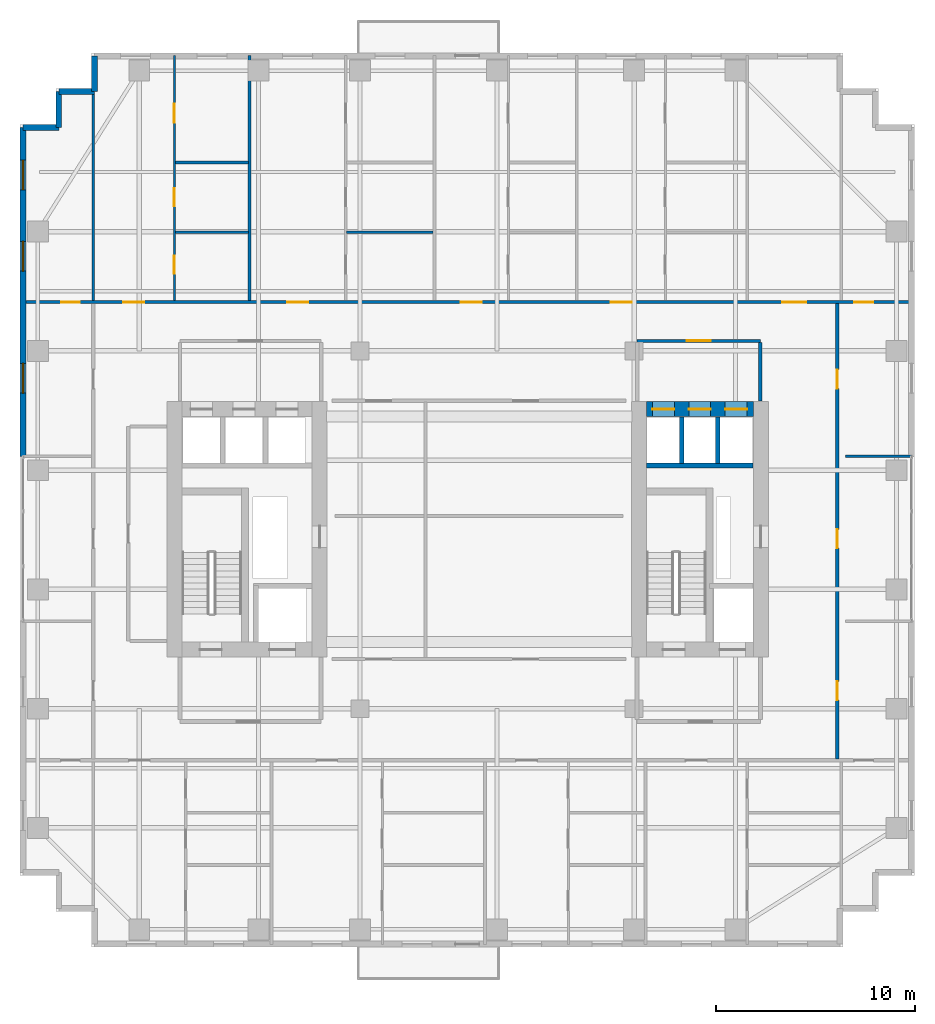
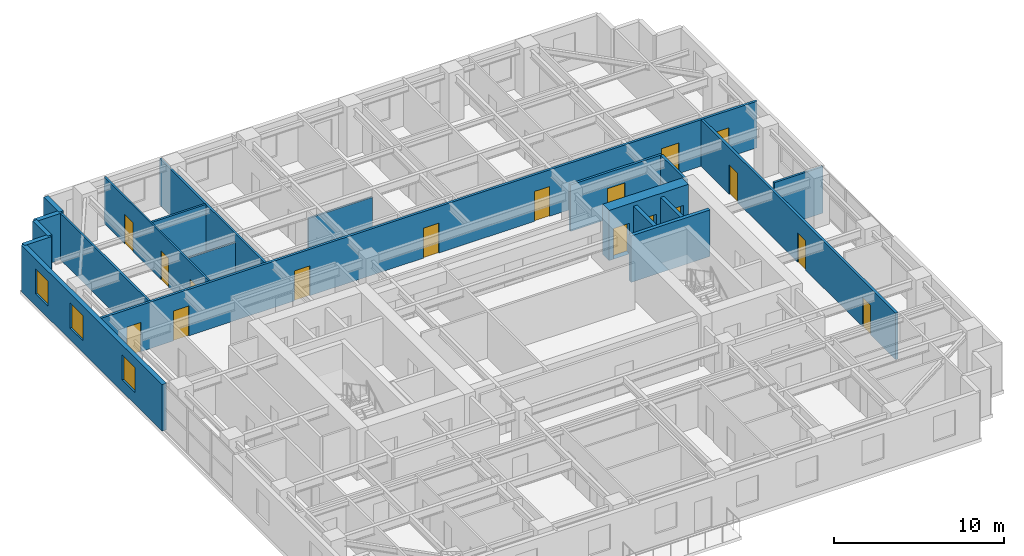
# One storey, part 11 of 15: 20 walls, 17 doors, 3 windows, 20 openings.
"""IFC4 building model written with IfcOpenShell, lengths in metres."""

import ifcopenshell
import ifcopenshell.guid

model = None  # the IFC model being written
_history = None  # IfcOwnerHistory: only IFC2X3 demands one
_inside = {}  # id of a spatial element -> (the spatial element, [elements in it])
_under = {}  # id of a project, library or spatial element -> (it, [spatial elements below it])
_declared = {}  # id of a project -> (the project, [libraries it declares])
_typed = {}  # id of a type object -> (the type object, [elements of that type])
_made_of = {}  # id of a material, layer set ... -> (it, [elements and type objects made of it])


def new_model(schema):
    """Start an empty IFC model of exactly this schema.

    Asked for "IFC4X3", IfcOpenShell would pick the latest addendum, in which some entities
    have other attributes; the version numbers below select the first issue.
    IFC2X3 requires an IfcOwnerHistory on every rooted entity: one is made here for all.
    """
    global model, _history
    if schema == "IFC4X3":
        model = ifcopenshell.file(schema_version=(4, 3, 0, 0))
    else:
        model = ifcopenshell.file(schema=schema)
    _inside.clear()
    _under.clear()
    _declared.clear()
    _typed.clear()
    _made_of.clear()
    _history = None
    if model.schema == "IFC2X3":
        org = make("IfcOrganization", Name="unknown")
        user = make(
            "IfcPersonAndOrganization",
            ThePerson=make("IfcPerson", FamilyName="unknown"),
            TheOrganization=org,
        )
        app = make(
            "IfcApplication",
            ApplicationDeveloper=org,
            Version="unknown",
            ApplicationFullName="unknown",
            ApplicationIdentifier="unknown",
        )
        _history = make(
            "IfcOwnerHistory",
            OwningUser=user,
            OwningApplication=app,
            ChangeAction="ADDED",
            CreationDate=0,
        )
    return model


def make(cls, **values):
    """One entity of the class cls with the attributes given. An attribute that is None is left unset."""
    return model.create_entity(
        cls, **{name: value for name, value in values.items() if value is not None}
    )


def rooted(cls, **values):
    """An entity with a GlobalId (a new one), such as an element, a storey or a relation."""
    return make(cls, GlobalId=ifcopenshell.guid.new(), OwnerHistory=_history, **values)


def si_unit(unit_type, name, prefix=None):
    """IfcSIUnit, for example si_unit("LENGTHUNIT", "METRE", prefix="MILLI")."""
    return make("IfcSIUnit", UnitType=unit_type, Prefix=prefix, Name=name)


def assignment(units):
    """IfcUnitAssignment: the units of a project."""
    return None if units is None else make("IfcUnitAssignment", Units=units)


def point(xyz):
    """IfcCartesianPoint."""
    return None if xyz is None else make("IfcCartesianPoint", Coordinates=xyz)


def direction(xyz):
    """IfcDirection."""
    return None if xyz is None else make("IfcDirection", DirectionRatios=xyz)


def frame(location, z_axis=None, x_axis=None):
    """IfcAxis2Placement3D, a coordinate frame: its origin and axes. An axis left out is left unset."""
    return make(
        "IfcAxis2Placement3D",
        Location=point(location),
        Axis=direction(z_axis),
        RefDirection=direction(x_axis),
    )


def frame_2d(location, x_axis=None):
    """IfcAxis2Placement2D, a coordinate frame in the plane: its origin and x axis."""
    return make(
        "IfcAxis2Placement2D", Location=point(location), RefDirection=direction(x_axis)
    )


def origin():
    """The frame at (0, 0, 0) with its axes left unset."""
    return frame((0.0, 0.0, 0.0))


def place(relative_to, where):
    """IfcLocalPlacement: puts the frame where relative to a parent placement (None: the world)."""
    return make(
        "IfcLocalPlacement", PlacementRelTo=relative_to, RelativePlacement=where
    )


def context(
    kind, dimensions, precision=None, world=None, true_north=None, identifier=None
):
    """IfcGeometricRepresentationContext, for example the 3D "Model" context."""
    return make(
        "IfcGeometricRepresentationContext",
        ContextIdentifier=identifier,
        ContextType=kind,
        CoordinateSpaceDimension=dimensions,
        Precision=precision,
        WorldCoordinateSystem=world,
        TrueNorth=true_north,
    )


def subcontext(parent, identifier, kind, view, scale=None):
    """IfcGeometricRepresentationSubContext, for example "Body" below "Model"."""
    return make(
        "IfcGeometricRepresentationSubContext",
        ContextIdentifier=identifier,
        ContextType=kind,
        ParentContext=parent,
        TargetScale=scale,
        TargetView=view,
    )


def project(units=None, contexts=None):
    """IfcProject with its units and contexts."""
    return rooted(
        "IfcProject",
        Name="project",
        RepresentationContexts=contexts,
        UnitsInContext=assignment(units),
    )


def spatial(cls, under=None, at=None, **own):
    """A site, building, storey or space (cls), placed at a placement, below another one or the project."""
    s = rooted(cls, ObjectPlacement=at, **own)
    if under is not None:
        _under.setdefault(under.id(), (under, []))[1].append(s)
    return s


def profile(cls, at=None, kind="AREA", **sizes):
    """A parametric profile (cls). Its sizes go by their IFC names, for example OverallWidth=200.0."""
    return make(cls, ProfileType=kind, Position=at, **sizes)


def rectangle(**sizes):
    """IfcRectangleProfileDef."""
    return profile("IfcRectangleProfileDef", **sizes)


def extrude(swept, where, along, depth):
    """IfcExtrudedAreaSolid: the profile swept, set in the frame where, extruded along a direction by depth."""
    return make(
        "IfcExtrudedAreaSolid",
        SweptArea=swept,
        Position=where,
        ExtrudedDirection=direction(along),
        Depth=depth,
    )


def shape(context_of_items, identifier, shape_type, items):
    """IfcShapeRepresentation: the items that make up one representation, for example the "Body"."""
    return make(
        "IfcShapeRepresentation",
        ContextOfItems=context_of_items,
        RepresentationIdentifier=identifier,
        RepresentationType=shape_type,
        Items=items,
    )


def source(mapping_origin, context_of_items, identifier, shape_type, items):
    """IfcRepresentationMap: a shape defined once, which mapped items show again and again."""
    return make(
        "IfcRepresentationMap",
        MappingOrigin=mapping_origin,
        MappedRepresentation=shape(context_of_items, identifier, shape_type, items),
    )


def transform(
    local_origin,
    x_axis=None,
    y_axis=None,
    z_axis=None,
    scale=None,
    scale2=None,
    scale3=None,
    uniform=True,
):
    """IfcCartesianTransformationOperator3D, or its non-uniform kind. x_axis, y_axis, z_axis: its Axis1, 2, 3."""
    if uniform:
        return make(
            "IfcCartesianTransformationOperator3D",
            Axis1=direction(x_axis),
            Axis2=direction(y_axis),
            LocalOrigin=point(local_origin),
            Scale=scale,
            Axis3=direction(z_axis),
        )
    return make(
        "IfcCartesianTransformationOperator3DnonUniform",
        Axis1=direction(x_axis),
        Axis2=direction(y_axis),
        LocalOrigin=point(local_origin),
        Scale=scale,
        Axis3=direction(z_axis),
        Scale2=scale2,
        Scale3=scale3,
    )


def mapped(mapping_source, mapping_target):
    """IfcMappedItem: shows the shape of a source again, moved by a transform."""
    return make(
        "IfcMappedItem", MappingSource=mapping_source, MappingTarget=mapping_target
    )


def material(Name=None, Category=None):
    """IfcMaterial."""
    return make("IfcMaterial", Name=Name, Category=Category)


def layer(
    of_material, thickness, ventilated=None, Name=None, Category=None, Priority=None
):
    """IfcMaterialLayer: one layer of a wall or slab, of a material (None: an air gap)."""
    return make(
        "IfcMaterialLayer",
        Material=of_material,
        LayerThickness=thickness,
        IsVentilated=ventilated,
        Name=Name,
        Category=Category,
        Priority=Priority,
    )


def layer_set(layers, Name=None):
    """IfcMaterialLayerSet."""
    return make("IfcMaterialLayerSet", MaterialLayers=layers, LayerSetName=Name)


def made_of(thing, what):
    """Note that an element or type object is made of a material, layer set ...; save() writes the relation."""
    if what is not None:
        _made_of.setdefault(what.id(), (what, []))[1].append(thing)
    return thing


def type_object(cls, material=None, **own):
    """A type object (cls), such as IfcWallType, which elements share."""
    return made_of(rooted(cls, **own), material)


def element(
    cls,
    number,
    at=None,
    inside=None,
    cuts=None,
    type_object=None,
    material=None,
    context=None,
    identifier="Body",
    shape_type=None,
    held_by="IfcProductDefinitionShape",
    body=None,
    shapes=None,
    **own,
):
    """One element of the class cls, such as IfcWall. Its Tag is "e" and its number.

    at: its placement. inside: the storey or other place that contains it. cuts: it is an
    opening in that element (IfcRelVoidsElement). A single representation is given by context,
    identifier, shape_type and body (its items); several are given by shapes. held_by: the class
    of the entity that holds the representations. save() writes the other relations.
    """
    e = rooted(cls, Tag="e%d" % number, ObjectPlacement=at, **own)
    if body is not None:
        shapes = [shape(context, identifier, shape_type, body)]
    if shapes is not None:
        e.Representation = make(held_by, Representations=shapes)
    if inside is not None:
        _inside.setdefault(inside.id(), (inside, []))[1].append(e)
    if cuts is not None:
        rooted(
            "IfcRelVoidsElement", RelatingBuildingElement=cuts, RelatedOpeningElement=e
        )
    if type_object is not None:
        _typed.setdefault(type_object.id(), (type_object, []))[1].append(e)
    return made_of(e, material)


def fill(opening, filler):
    """IfcRelFillsElement: the door or window that sits in an opening."""
    return rooted(
        "IfcRelFillsElement",
        RelatingOpeningElement=opening,
        RelatedBuildingElement=filler,
    )


def aggregate(whole, parts):
    """IfcRelAggregates: a whole, such as a stair, and the parts it consists of."""
    return rooted("IfcRelAggregates", RelatingObject=whole, RelatedObjects=parts)


def save(model, path):
    """Write the relations noted so far, then the file.

    IfcRelAggregates (storeys below a building ...), IfcRelContainedInSpatialStructure (elements
    in a storey), IfcRelDefinesByType, IfcRelAssociatesMaterial and IfcRelDeclares: one each for
    every whole, place, type object, material and project.
    """
    for whole, parts in _under.values():
        aggregate(whole, parts)
    for where, things in _inside.values():
        rooted(
            "IfcRelContainedInSpatialStructure",
            RelatedElements=things,
            RelatingStructure=where,
        )
    for kind, things in _typed.values():
        rooted("IfcRelDefinesByType", RelatedObjects=things, RelatingType=kind)
    for what, things in _made_of.values():
        rooted("IfcRelAssociatesMaterial", RelatedObjects=things, RelatingMaterial=what)
    for by, libraries in _declared.values():
        rooted("IfcRelDeclares", RelatingContext=by, RelatedDefinitions=libraries)
    model.write(path)


model = new_model("IFC4")

# Units and contexts
model_context = context("Model", 3, precision=1e-05, world=origin(), true_north=direction((0.0, 1.0)))
body_context = subcontext(model_context, "Body", "Model", "MODEL_VIEW")
ifc_project = project(units=[si_unit("LENGTHUNIT", "METRE"), si_unit("AREAUNIT", "SQUARE_METRE"), si_unit("VOLUMEUNIT", "CUBIC_METRE"), si_unit("PLANEANGLEUNIT", "RADIAN"), si_unit("MASSUNIT", "GRAM", prefix="KILO")], contexts=[model_context])

# Site, building, storey
site_placement = place(None, origin())
site = spatial("IfcSite", under=ifc_project, at=site_placement, CompositionType="ELEMENT")
building_placement = place(site_placement, origin())
building = spatial("IfcBuilding", under=site, at=building_placement, Name="Khoralis Quay Care Tower", CompositionType="ELEMENT")
storey_placement = place(building_placement, frame((0.0, 0.0, 123.300048828125)))
storey = spatial("IfcBuildingStorey", under=building, at=storey_placement, Name="L32", CompositionType="ELEMENT", Elevation=123.300048828125)

# Wall, openings, doors
ifc_material_1 = material(Name="Concrete C80/95", Category="concrete")
ifc_layer_1 = layer(ifc_material_1, 0.75)
ifc_layer_set_1 = layer_set([ifc_layer_1], Name="Concrete C80/95")
wall_type_1 = type_object("IfcWallType", Name="WL-CORE-750", PredefinedType="SHEAR", material=ifc_layer_set_1)
wall_1_placement = place(storey_placement, frame((31.52001953125, 27.074951171875, 0.0), z_axis=(0.0, 0.0, 1.0), x_axis=(1.0, 0.0, 0.0)))
wall_1 = element("IfcWall", 1, at=wall_1_placement, inside=storey, type_object=wall_type_1, Name="L32 ECORE North Shear Wall", PredefinedType="SHEAR", context=body_context, shape_type="SweptSolid", body=[
    extrude(rectangle(XDim=5.3798828125, YDim=0.75, at=frame_2d((2.68994140625, 0.0))), origin(), (0.0, 0.0, 1.0), 3.599853515625),
])
opening_1_placement = place(wall_1_placement, frame((0.300048828125, 0.0, 0.0)))
opening_1 = element("IfcOpeningElement", 2, at=opening_1_placement, cuts=wall_1, Name="Opening LD1", PredefinedType="OPENING", context=body_context, shape_type="SweptSolid", body=[
    extrude(rectangle(XDim=1.10009765625, YDim=2.199951171875, at=frame_2d((0.550048828125, 1.10009765625))), frame((0.0, 0.385009765625, 0.0), z_axis=(0.0, -1.0, 0.0), x_axis=(1.0, 0.0, 0.0)), (0.0, 0.0, 1.0), 0.77001953125),
])
opening_2_placement = place(wall_1_placement, frame((2.1298828125, 0.0, 0.0)))
opening_2 = element("IfcOpeningElement", 3, at=opening_2_placement, cuts=wall_1, Name="Opening LD1", PredefinedType="OPENING", context=body_context, shape_type="SweptSolid", body=[
    extrude(rectangle(XDim=1.10009765625, YDim=2.199951171875, at=frame_2d((0.550048828125, 1.10009765625))), frame((0.0, 0.385009765625, 0.0), z_axis=(0.0, -1.0, 0.0), x_axis=(1.0, 0.0, 0.0)), (0.0, 0.0, 1.0), 0.77001953125),
])
opening_3_placement = place(wall_1_placement, frame((3.9599609375, 0.0, 0.0)))
opening_3 = element("IfcOpeningElement", 4, at=opening_3_placement, cuts=wall_1, Name="Opening LD1", PredefinedType="OPENING", context=body_context, shape_type="SweptSolid", body=[
    extrude(rectangle(XDim=1.10009765625, YDim=2.199951171875, at=frame_2d((0.550048828125, 1.10009765625))), frame((0.0, 0.385009765625, 0.0), z_axis=(0.0, -1.0, 0.0), x_axis=(1.0, 0.0, 0.0)), (0.0, 0.0, 1.0), 0.77001953125),
])
ifc_material_2 = material(Name="Brushed stainless steel", Category="steel")
door_type_1 = type_object("IfcDoorType", Name="DR-LIFT-1100X2200", OperationType="SLIDING_TO_LEFT", PredefinedType="DOOR", material=ifc_material_2)
shared_shape_1 = source(origin(), body_context, "Body", "SweptSolid", [
    extrude(rectangle(XDim=1.10009765625, YDim=2.199951171875, at=frame_2d((0.550048828125, 1.10009765625))), frame((0.0, 0.02490234375, 0.0), z_axis=(0.0, -1.0, 0.0), x_axis=(1.0, 0.0, 0.0)), (0.0, 0.0, 1.0), 0.050048828125),
])
door_1_placement = place(opening_1_placement, origin())
door_1 = element("IfcDoor", 5, at=door_1_placement, inside=storey, type_object=door_type_1, Name="L32 Lift PLL2 Landing Door", OperationType="SLIDING_TO_LEFT", OverallHeight=2.199951171875, OverallWidth=1.10009765625, PredefinedType="DOOR", context=body_context, shape_type="MappedRepresentation", body=[
    mapped(shared_shape_1, transform((0.0, 0.0, 0.0), scale=1.0)),
])
fill(opening_1, door_1)
door_2_placement = place(opening_2_placement, origin())
door_2 = element("IfcDoor", 6, at=door_2_placement, inside=storey, type_object=door_type_1, Name="L32 Lift PLM2 Landing Door", OperationType="SLIDING_TO_LEFT", OverallHeight=2.199951171875, OverallWidth=1.10009765625, PredefinedType="DOOR", context=body_context, shape_type="MappedRepresentation", body=[
    mapped(shared_shape_1, transform((0.0, 0.0, 0.0), scale=1.0)),
])
fill(opening_2, door_2)
door_3_placement = place(opening_3_placement, origin())
door_3 = element("IfcDoor", 7, at=door_3_placement, inside=storey, type_object=door_type_1, Name="L32 Lift PLH2 Landing Door", OperationType="SLIDING_TO_LEFT", OverallHeight=2.199951171875, OverallWidth=1.10009765625, PredefinedType="DOOR", context=body_context, shape_type="MappedRepresentation", body=[
    mapped(shared_shape_1, transform((0.0, 0.0, 0.0), scale=1.0)),
])
fill(opening_3, door_3)

# Wall, opening, door
ifc_material_3 = material(Name="Gypsum plasterboard on acoustic metal stud")
ifc_layer_2 = layer(ifc_material_3, 0.1650390625)
ifc_layer_set_2 = layer_set([ifc_layer_2], Name="Gypsum plasterboard on acoustic metal stud")
wall_type_2 = type_object("IfcWallType", Name="WL-CORR-165", PredefinedType="PARTITIONING", material=ifc_layer_set_2)
wall_2_placement = place(storey_placement, frame((31.050048828125, 30.5, 0.0), z_axis=(0.0, 0.0, 1.0), x_axis=(1.0, 0.0, 0.0)))
wall_2 = element("IfcWall", 8, at=wall_2_placement, inside=storey, type_object=wall_type_2, Name="L32 East Lift Lobby North Wall", PredefinedType="PARTITIONING", context=body_context, shape_type="SweptSolid", body=[
    extrude(rectangle(XDim=6.199951171875, YDim=0.1650390625, at=frame_2d((3.10009765625, 0.0))), origin(), (0.0, 0.0, 1.0), 3.33984375),
])
opening_4_placement = place(wall_2_placement, frame((2.5, 0.0, 0.0)))
opening_4 = element("IfcOpeningElement", 9, at=opening_4_placement, cuts=wall_2, Name="Opening FD1", PredefinedType="OPENING", context=body_context, shape_type="SweptSolid", body=[
    extrude(rectangle(XDim=1.199951171875, YDim=2.199951171875, at=frame_2d((0.60009765625, 1.10009765625))), frame((0.0, 0.092529296875, 0.0), z_axis=(0.0, -1.0, 0.0), x_axis=(1.0, 0.0, 0.0)), (0.0, 0.0, 1.0), 0.18505859375),
])
ifc_material_4 = material(Name="Fire-rated painted steel", Category="steel")
door_type_2 = type_object("IfcDoorType", Name="DR-FFL-1200X2200", OperationType="NOTDEFINED", PredefinedType="DOOR", material=ifc_material_4)
shared_shape_2 = source(origin(), body_context, "Body", "SweptSolid", [
    extrude(rectangle(XDim=1.199951171875, YDim=2.199951171875, at=frame_2d((0.60009765625, 1.10009765625))), frame((0.0, 0.02490234375, 0.0), z_axis=(0.0, -1.0, 0.0), x_axis=(1.0, 0.0, 0.0)), (0.0, 0.0, 1.0), 0.050048828125),
])
door_4_placement = place(opening_4_placement, origin())
door_4 = element("IfcDoor", 10, at=door_4_placement, inside=storey, type_object=door_type_2, Name="L32 East Lift Lobby Double Door", OperationType="DOUBLE_DOOR_SINGLE_SWING", OverallHeight=2.199951171875, OverallWidth=1.199951171875, PredefinedType="DOOR", context=body_context, shape_type="MappedRepresentation", body=[
    mapped(shared_shape_2, transform((0.0, 0.0, 0.0), scale=1.0)),
])
fill(opening_4, door_4)

# Wall
wall_3_placement = place(storey_placement, frame((37.25, 27.469970703125, 0.0), z_axis=(0.0, 0.0, 1.0), x_axis=(0.0, 1.0, 0.0)))
element("IfcWall", 11, at=wall_3_placement, inside=storey, type_object=wall_type_2, Name="L32 East Lift Lobby East Wall", PredefinedType="PARTITIONING", context=body_context, shape_type="SweptSolid", body=[
    extrude(rectangle(XDim=2.95263671875, YDim=0.1650390625, at=frame_2d((1.476318359375, 0.0))), origin(), (0.0, 0.0, 1.0), 3.33984375),
])

# Wall, openings, doors
wall_4_placement = place(storey_placement, frame((0.14501953125, 32.4599609375, 0.0), z_axis=(0.0, 0.0, 1.0), x_axis=(1.0, 0.0, 0.0)))
wall_4 = element("IfcWall", 12, at=wall_4_placement, inside=storey, type_object=wall_type_2, Name="L32 North Main Corridor Wall", PredefinedType="PARTITIONING", context=body_context, shape_type="SweptSolid", body=[
    extrude(rectangle(XDim=44.7099609375, YDim=0.1650390625, at=frame_2d((22.35498046875, 0.0))), origin(), (0.0, 0.0, 1.0), 3.33984375),
])
opening_5_placement = place(wall_4_placement, frame((5.055908203125, 0.0, 0.0)))
opening_5 = element("IfcOpeningElement", 13, at=opening_5_placement, cuts=wall_4, Name="Opening UD1", PredefinedType="OPENING", context=body_context, shape_type="SweptSolid", body=[
    extrude(rectangle(XDim=1.050048828125, YDim=2.14990234375, at=frame_2d((0.52490234375, 1.074951171875))), frame((0.0, 0.092529296875, 0.0), z_axis=(0.0, -1.0, 0.0), x_axis=(1.0, 0.0, 0.0)), (0.0, 0.0, 1.0), 0.18505859375),
])
opening_6_placement = place(wall_4_placement, frame((13.298095703125, 0.0, 0.0)))
opening_6 = element("IfcOpeningElement", 14, at=opening_6_placement, cuts=wall_4, Name="Opening UD1", PredefinedType="OPENING", context=body_context, shape_type="SweptSolid", body=[
    extrude(rectangle(XDim=1.050048828125, YDim=2.14990234375, at=frame_2d((0.52490234375, 1.074951171875))), frame((0.0, 0.092529296875, 0.0), z_axis=(0.0, -1.0, 0.0), x_axis=(1.0, 0.0, 0.0)), (0.0, 0.0, 1.0), 0.18505859375),
])
opening_7_placement = place(wall_4_placement, frame((22.04150390625, 0.0, 0.0)))
opening_7 = element("IfcOpeningElement", 15, at=opening_7_placement, cuts=wall_4, Name="Opening UD1", PredefinedType="OPENING", context=body_context, shape_type="SweptSolid", body=[
    extrude(rectangle(XDim=1.050048828125, YDim=2.14990234375, at=frame_2d((0.52490234375, 1.074951171875))), frame((0.0, 0.092529296875, 0.0), z_axis=(0.0, -1.0, 0.0), x_axis=(1.0, 0.0, 0.0)), (0.0, 0.0, 1.0), 0.18505859375),
])
opening_8_placement = place(wall_4_placement, frame((29.571044921875, 0.0, 0.0)))
opening_8 = element("IfcOpeningElement", 16, at=opening_8_placement, cuts=wall_4, Name="Opening UD1", PredefinedType="OPENING", context=body_context, shape_type="SweptSolid", body=[
    extrude(rectangle(XDim=1.050048828125, YDim=2.14990234375, at=frame_2d((0.52490234375, 1.074951171875))), frame((0.0, 0.092529296875, 0.0), z_axis=(0.0, -1.0, 0.0), x_axis=(1.0, 0.0, 0.0)), (0.0, 0.0, 1.0), 0.18505859375),
])
opening_9_placement = place(wall_4_placement, frame((38.2099609375, 0.0, 0.0)))
opening_9 = element("IfcOpeningElement", 17, at=opening_9_placement, cuts=wall_4, Name="Opening FD1", PredefinedType="OPENING", context=body_context, shape_type="SweptSolid", body=[
    extrude(rectangle(XDim=1.199951171875, YDim=2.199951171875, at=frame_2d((0.60009765625, 1.10009765625))), frame((0.0, 0.092529296875, 0.0), z_axis=(0.0, -1.0, 0.0), x_axis=(1.0, 0.0, 0.0)), (0.0, 0.0, 1.0), 0.18505859375),
])
opening_10_placement = place(wall_4_placement, frame((1.919921875, 0.0, 0.0)))
opening_10 = element("IfcOpeningElement", 18, at=opening_10_placement, cuts=wall_4, Name="Opening ID1", PredefinedType="OPENING", context=body_context, shape_type="SweptSolid", body=[
    extrude(rectangle(XDim=0.949951171875, YDim=2.10009765625, at=frame_2d((0.47509765625, 1.050048828125))), frame((0.0, 0.092529296875, 0.0), z_axis=(0.0, -1.0, 0.0), x_axis=(1.0, 0.0, 0.0)), (0.0, 0.0, 1.0), 0.18505859375),
])
opening_11_placement = place(wall_4_placement, frame((41.840087890625, 0.0, 0.0)))
opening_11 = element("IfcOpeningElement", 19, at=opening_11_placement, cuts=wall_4, Name="Opening ID1", PredefinedType="OPENING", context=body_context, shape_type="SweptSolid", body=[
    extrude(rectangle(XDim=0.949951171875, YDim=2.10009765625, at=frame_2d((0.47509765625, 1.050048828125))), frame((0.0, 0.092529296875, 0.0), z_axis=(0.0, -1.0, 0.0), x_axis=(1.0, 0.0, 0.0)), (0.0, 0.0, 1.0), 0.18505859375),
])
door_5_placement = place(opening_9_placement, origin())
door_5 = element("IfcDoor", 20, at=door_5_placement, inside=storey, type_object=door_type_2, Name="L32 Resident Communal Day Lounge Door", OperationType="DOUBLE_DOOR_SINGLE_SWING", OverallHeight=2.199951171875, OverallWidth=1.199951171875, PredefinedType="DOOR", context=body_context, shape_type="MappedRepresentation", body=[
    mapped(shared_shape_2, transform((0.0, 0.0, 0.0), scale=1.0)),
])
fill(opening_9, door_5)
ifc_material_5 = material(Name="Acoustic hardwood timber", Category="wood")
door_type_3 = type_object("IfcDoorType", Name="DR-ROOM-950X2100", OperationType="NOTDEFINED", PredefinedType="DOOR", material=ifc_material_5)
shared_shape_3 = source(origin(), body_context, "Body", "SweptSolid", [
    extrude(rectangle(XDim=0.949951171875, YDim=2.10009765625, at=frame_2d((0.47509765625, 1.050048828125))), frame((0.0, 0.02490234375, 0.0), z_axis=(0.0, -1.0, 0.0), x_axis=(1.0, 0.0, 0.0)), (0.0, 0.0, 1.0), 0.050048828125),
])
door_6_placement = place(opening_10_placement, origin())
door_6 = element("IfcDoor", 21, at=door_6_placement, inside=storey, type_object=door_type_3, Name="L32 NW Corner Door", OperationType="SINGLE_SWING_RIGHT", OverallHeight=2.10009765625, OverallWidth=0.949951171875, PredefinedType="DOOR", context=body_context, shape_type="MappedRepresentation", body=[
    mapped(shared_shape_3, transform((0.0, 0.0, 0.0), scale=1.0)),
])
fill(opening_10, door_6)
door_7_placement = place(opening_11_placement, origin())
door_7 = element("IfcDoor", 22, at=door_7_placement, inside=storey, type_object=door_type_3, Name="L32 NE Corner Door", OperationType="SINGLE_SWING_LEFT", OverallHeight=2.10009765625, OverallWidth=0.949951171875, PredefinedType="DOOR", context=body_context, shape_type="MappedRepresentation", body=[
    mapped(shared_shape_3, transform((0.0, 0.0, 0.0), scale=1.0)),
])
fill(opening_11, door_7)
door_type_4 = type_object("IfcDoorType", Name="DR-SUITE-1050X2150", OperationType="NOTDEFINED", PredefinedType="DOOR", material=ifc_material_5)
shared_shape_4 = source(origin(), body_context, "Body", "SweptSolid", [
    extrude(rectangle(XDim=1.050048828125, YDim=2.14990234375, at=frame_2d((0.52490234375, 1.074951171875))), frame((0.0, 0.02490234375, 0.0), z_axis=(0.0, -1.0, 0.0), x_axis=(1.0, 0.0, 0.0)), (0.0, 0.0, 1.0), 0.050048828125),
])
door_8_placement = place(opening_5_placement, origin())
door_8 = element("IfcDoor", 23, at=door_8_placement, inside=storey, type_object=door_type_4, Name="L32 Apartment NB0 Entrance Door", OperationType="SINGLE_SWING_RIGHT", OverallHeight=2.14990234375, OverallWidth=1.050048828125, PredefinedType="DOOR", context=body_context, shape_type="MappedRepresentation", body=[
    mapped(shared_shape_4, transform((0.0, 0.0, 0.0), scale=1.0)),
])
fill(opening_5, door_8)
door_9_placement = place(opening_6_placement, origin())
door_9 = element("IfcDoor", 24, at=door_9_placement, inside=storey, type_object=door_type_4, Name="L32 Apartment NB1 Entrance Door", OperationType="SINGLE_SWING_LEFT", OverallHeight=2.14990234375, OverallWidth=1.050048828125, PredefinedType="DOOR", context=body_context, shape_type="MappedRepresentation", body=[
    mapped(shared_shape_4, transform((0.0, 0.0, 0.0), scale=1.0)),
])
fill(opening_6, door_9)
door_10_placement = place(opening_7_placement, origin())
door_10 = element("IfcDoor", 25, at=door_10_placement, inside=storey, type_object=door_type_4, Name="L32 Apartment NB2 Entrance Door", OperationType="SINGLE_SWING_RIGHT", OverallHeight=2.14990234375, OverallWidth=1.050048828125, PredefinedType="DOOR", context=body_context, shape_type="MappedRepresentation", body=[
    mapped(shared_shape_4, transform((0.0, 0.0, 0.0), scale=1.0)),
])
fill(opening_7, door_10)
door_11_placement = place(opening_8_placement, origin())
door_11 = element("IfcDoor", 26, at=door_11_placement, inside=storey, type_object=door_type_4, Name="L32 Apartment NB3 Entrance Door", OperationType="SINGLE_SWING_LEFT", OverallHeight=2.14990234375, OverallWidth=1.050048828125, PredefinedType="DOOR", context=body_context, shape_type="MappedRepresentation", body=[
    mapped(shared_shape_4, transform((0.0, 0.0, 0.0), scale=1.0)),
])
fill(opening_8, door_11)

wall_5_placement = place(storey_placement, frame((41.1201171875, 9.4775390625, 0.0), z_axis=(0.0, 0.0, 1.0), x_axis=(0.0, 1.0, 0.0)))
wall_5 = element("IfcWall", 27, at=wall_5_placement, inside=storey, type_object=wall_type_2, Name="L32 East Loop Corridor Wall", PredefinedType="PARTITIONING", context=body_context, shape_type="SweptSolid", body=[
    extrude(rectangle(XDim=22.905029296875, YDim=0.1650390625, at=frame_2d((11.45263671875, 0.0))), origin(), (0.0, 0.0, 1.0), 3.33984375),
])
opening_12_placement = place(wall_5_placement, frame((2.947509765625, 0.0, 0.0)))
opening_12 = element("IfcOpeningElement", 28, at=opening_12_placement, cuts=wall_5, Name="Opening ID1", PredefinedType="OPENING", context=body_context, shape_type="SweptSolid", body=[
    extrude(rectangle(XDim=0.949951171875, YDim=2.10009765625, at=frame_2d((0.47509765625, 1.050048828125))), frame((0.0, 0.092529296875, 0.0), z_axis=(0.0, -1.0, 0.0), x_axis=(1.0, 0.0, 0.0)), (0.0, 0.0, 1.0), 0.18505859375),
])
opening_13_placement = place(wall_5_placement, frame((10.597412109375, 0.0, 0.0)))
opening_13 = element("IfcOpeningElement", 29, at=opening_13_placement, cuts=wall_5, Name="Opening ID1", PredefinedType="OPENING", context=body_context, shape_type="SweptSolid", body=[
    extrude(rectangle(XDim=0.949951171875, YDim=2.10009765625, at=frame_2d((0.47509765625, 1.050048828125))), frame((0.0, 0.092529296875, 0.0), z_axis=(0.0, -1.0, 0.0), x_axis=(1.0, 0.0, 0.0)), (0.0, 0.0, 1.0), 0.18505859375),
])
opening_14_placement = place(wall_5_placement, frame((18.62744140625, 0.0, 0.0)))
opening_14 = element("IfcOpeningElement", 30, at=opening_14_placement, cuts=wall_5, Name="Opening ID1", PredefinedType="OPENING", context=body_context, shape_type="SweptSolid", body=[
    extrude(rectangle(XDim=0.949951171875, YDim=2.10009765625, at=frame_2d((0.47509765625, 1.050048828125))), frame((0.0, 0.092529296875, 0.0), z_axis=(0.0, -1.0, 0.0), x_axis=(1.0, 0.0, 0.0)), (0.0, 0.0, 1.0), 0.18505859375),
])
door_12_placement = place(opening_12_placement, frame((0.949951171875, 0.0, 0.0), z_axis=(0.0, 0.0, 1.0), x_axis=(-1.0, 0.0, 0.0)))
door_12 = element("IfcDoor", 31, at=door_12_placement, inside=storey, type_object=door_type_3, Name="L32 Therapy Consultation Room Door", OperationType="SINGLE_SWING_LEFT", OverallHeight=2.10009765625, OverallWidth=0.949951171875, PredefinedType="DOOR", context=body_context, shape_type="MappedRepresentation", body=[
    mapped(shared_shape_3, transform((0.0, 0.0, 0.0), scale=1.0)),
])
fill(opening_12, door_12)
door_13_placement = place(opening_13_placement, frame((0.949951171875, 0.0, 0.0), z_axis=(0.0, 0.0, 1.0), x_axis=(-1.0, 0.0, 0.0)))
door_13 = element("IfcDoor", 32, at=door_13_placement, inside=storey, type_object=door_type_3, Name="L32 Assisted Activity Lounge Door", OperationType="SINGLE_SWING_RIGHT", OverallHeight=2.10009765625, OverallWidth=0.949951171875, PredefinedType="DOOR", context=body_context, shape_type="MappedRepresentation", body=[
    mapped(shared_shape_3, transform((0.0, 0.0, 0.0), scale=1.0)),
])
fill(opening_13, door_13)
door_14_placement = place(opening_14_placement, frame((0.949951171875, 0.0, 0.0), z_axis=(0.0, 0.0, 1.0), x_axis=(-1.0, 0.0, 0.0)))
door_14 = element("IfcDoor", 33, at=door_14_placement, inside=storey, type_object=door_type_3, Name="L32 Nurse Charting Office Door", OperationType="SINGLE_SWING_LEFT", OverallHeight=2.10009765625, OverallWidth=0.949951171875, PredefinedType="DOOR", context=body_context, shape_type="MappedRepresentation", body=[
    mapped(shared_shape_3, transform((0.0, 0.0, 0.0), scale=1.0)),
])
fill(opening_14, door_14)

# Walls
ifc_material_6 = material(Name="Precast concrete C45/55", Category="concrete")
ifc_layer_3 = layer(ifc_material_6, 0.300048828125)
ifc_layer_set_3 = layer_set([ifc_layer_3], Name="Precast concrete C45/55")
wall_type_3 = type_object("IfcWallType", Name="WL-EXT-REF-300", PredefinedType="SOLIDWALL", material=ifc_layer_set_3)
for number, where, z_axis, x_axis, name in (
    (34, (3.75, 44.85009765625, 0.0), (0.0, 0.0, 1.0), (0.0, -1.0, 0.0), "L32 External Facade Wall WL-EXT-L32-P1-C11"),
    (35, (3.75, 43.050048828125, 0.0), (0.0, 0.0, 1.0), (-1.0, 0.0, 0.0), "L32 External Facade Wall WL-EXT-L32-P1-C12"),
    (36, (1.949951171875, 43.050048828125, 0.0), (0.0, 0.0, 1.0), (0.0, -1.0, 0.0), "L32 External Facade Wall WL-EXT-L32-P1-C13"),
    (37, (1.949951171875, 41.25, 0.0), (0.0, 0.0, 1.0), (-1.0, 0.0, 0.0), "L32 External Facade Wall WL-EXT-L32-P1-C14"),
):
    element("IfcWall", number, at=place(storey_placement, frame(where, z_axis=z_axis, x_axis=x_axis)), inside=storey, type_object=wall_type_3, Name=name, PredefinedType="SOLIDWALL", context=body_context, shape_type="SweptSolid", body=[
        extrude(rectangle(XDim=1.800048828125, YDim=0.300048828125, at=frame_2d((0.89990234375, 0.0))), origin(), (0.0, 0.0, 1.0), 3.33984375),
    ])

# Wall, openings, windows
wall_6_placement = place(storey_placement, frame((0.14990234375, 41.25, 0.0), z_axis=(0.0, 0.0, 1.0), x_axis=(0.0, -1.0, 0.0)))
wall_6 = element("IfcWall", 38, at=wall_6_placement, inside=storey, type_object=wall_type_3, Name="L32 External Facade Wall WL-EXT-L32-P1-E15A", PredefinedType="SOLIDWALL", context=body_context, shape_type="SweptSolid", body=[
    extrude(rectangle(XDim=16.550048828125, YDim=0.300048828125, at=frame_2d((8.27490234375, 0.0))), origin(), (0.0, 0.0, 1.0), 3.33984375),
])
opening_15_placement = place(wall_6_placement, frame((1.652587890625, 0.0, 0.85009765625)))
opening_15 = element("IfcOpeningElement", 39, at=opening_15_placement, cuts=wall_6, Name="Opening W3", PredefinedType="OPENING", context=body_context, shape_type="SweptSolid", body=[
    extrude(rectangle(XDim=1.5, YDim=1.800048828125, at=frame_2d((0.75, 0.89990234375))), frame((0.0, 0.16015625, 0.0), z_axis=(0.0, -1.0, 0.0), x_axis=(1.0, 0.0, 0.0)), (0.0, 0.0, 1.0), 0.320068359375),
])
opening_16_placement = place(wall_6_placement, frame((5.737548828125, 0.0, 0.85009765625)))
opening_16 = element("IfcOpeningElement", 40, at=opening_16_placement, cuts=wall_6, Name="Opening W3", PredefinedType="OPENING", context=body_context, shape_type="SweptSolid", body=[
    extrude(rectangle(XDim=1.5, YDim=1.800048828125, at=frame_2d((0.75, 0.89990234375))), frame((0.0, 0.16015625, 0.0), z_axis=(0.0, -1.0, 0.0), x_axis=(1.0, 0.0, 0.0)), (0.0, 0.0, 1.0), 0.320068359375),
])
opening_17_placement = place(wall_6_placement, frame((11.8701171875, 0.0, 0.85009765625)))
opening_17 = element("IfcOpeningElement", 41, at=opening_17_placement, cuts=wall_6, Name="Opening W3", PredefinedType="OPENING", context=body_context, shape_type="SweptSolid", body=[
    extrude(rectangle(XDim=1.5, YDim=1.800048828125, at=frame_2d((0.75, 0.89990234375))), frame((0.0, 0.16015625, 0.0), z_axis=(0.0, -1.0, 0.0), x_axis=(1.0, 0.0, 0.0)), (0.0, 0.0, 1.0), 0.320068359375),
])
ifc_material_7 = material(Name="Low-E solar-control double glazing", Category="glass")
window_type = type_object("IfcWindowType", Name="WN-CLIN-1500X1800", PartitioningType="SINGLE_PANEL", PredefinedType="WINDOW", material=ifc_material_7)
shared_shape_5 = source(origin(), body_context, "Body", "SweptSolid", [
    extrude(rectangle(XDim=1.5, YDim=1.800048828125, at=frame_2d((0.75, 0.89990234375))), frame((0.0, 0.030029296875, 0.0), z_axis=(0.0, -1.0, 0.0), x_axis=(1.0, 0.0, 0.0)), (0.0, 0.0, 1.0), 0.06005859375),
])
window_1_placement = place(opening_15_placement, origin())
window_1 = element("IfcWindow", 42, at=window_1_placement, inside=storey, type_object=window_type, Name="WN-L32-P1-E15A Facade Window 01", OverallHeight=1.800048828125, OverallWidth=1.5, PartitioningType="SINGLE_PANEL", PredefinedType="WINDOW", context=body_context, shape_type="MappedRepresentation", body=[
    mapped(shared_shape_5, transform((0.0, 0.0, 0.0), scale=1.0)),
])
fill(opening_15, window_1)
window_2_placement = place(opening_16_placement, origin())
window_2 = element("IfcWindow", 43, at=window_2_placement, inside=storey, type_object=window_type, Name="WN-L32-P1-E15A Facade Window 02", OverallHeight=1.800048828125, OverallWidth=1.5, PartitioningType="SINGLE_PANEL", PredefinedType="WINDOW", context=body_context, shape_type="MappedRepresentation", body=[
    mapped(shared_shape_5, transform((0.0, 0.0, 0.0), scale=1.0)),
])
fill(opening_16, window_2)
window_3_placement = place(opening_17_placement, origin())
window_3 = element("IfcWindow", 44, at=window_3_placement, inside=storey, type_object=window_type, Name="WN-L32-P1-E15A Facade Window 03", OverallHeight=1.800048828125, OverallWidth=1.5, PartitioningType="SINGLE_PANEL", PredefinedType="WINDOW", context=body_context, shape_type="MappedRepresentation", body=[
    mapped(shared_shape_5, transform((0.0, 0.0, 0.0), scale=1.0)),
])
fill(opening_17, window_3)

# Wall, openings, doors
ifc_layer_4 = layer(ifc_material_3, 0.114990234375)
ifc_layer_set_4 = layer_set([ifc_layer_4], Name="Gypsum plasterboard on acoustic metal stud")
wall_type_4 = type_object("IfcWallType", Name="WL-PART-115", PredefinedType="PARTITIONING", material=ifc_layer_set_4)
wall_7_placement = place(storey_placement, frame((7.77197265625, 32.53759765625, 0.0), z_axis=(0.0, 0.0, 1.0), x_axis=(0.0, 1.0, 0.0)))
wall_7 = element("IfcWall", 45, at=wall_7_placement, inside=storey, type_object=wall_type_4, Name="L32 Unit 0 Internal Wall", PredefinedType="PARTITIONING", context=body_context, shape_type="SweptSolid", body=[
    extrude(rectangle(XDim=12.3173828125, YDim=0.114990234375, at=frame_2d((6.15869140625, 0.0))), origin(), (0.0, 0.0, 1.0), 3.33984375),
])
opening_18_placement = place(wall_7_placement, frame((8.95361328125, 0.0, 0.0)))
opening_18 = element("IfcOpeningElement", 46, at=opening_18_placement, cuts=wall_7, Name="Opening ID1", PredefinedType="OPENING", context=body_context, shape_type="SweptSolid", body=[
    extrude(rectangle(XDim=0.949951171875, YDim=2.10009765625, at=frame_2d((0.47509765625, 1.050048828125))), frame((0.0, 0.0673828125, 0.0), z_axis=(0.0, -1.0, 0.0), x_axis=(1.0, 0.0, 0.0)), (0.0, 0.0, 1.0), 0.135009765625),
])
opening_19_placement = place(wall_7_placement, frame((4.739013671875, 0.0, 0.0)))
opening_19 = element("IfcOpeningElement", 47, at=opening_19_placement, cuts=wall_7, Name="Opening WD1", PredefinedType="OPENING", context=body_context, shape_type="SweptSolid", body=[
    extrude(rectangle(XDim=0.89990234375, YDim=2.10009765625, at=frame_2d((0.449951171875, 1.050048828125))), frame((0.0, 0.0673828125, 0.0), z_axis=(0.0, -1.0, 0.0), x_axis=(1.0, 0.0, 0.0)), (0.0, 0.0, 1.0), 0.135009765625),
])
opening_20_placement = place(wall_7_placement, frame((1.343017578125, 0.0, 0.0)))
opening_20 = element("IfcOpeningElement", 48, at=opening_20_placement, cuts=wall_7, Name="Opening WD1", PredefinedType="OPENING", context=body_context, shape_type="SweptSolid", body=[
    extrude(rectangle(XDim=0.89990234375, YDim=2.10009765625, at=frame_2d((0.449951171875, 1.050048828125))), frame((0.0, 0.0673828125, 0.0), z_axis=(0.0, -1.0, 0.0), x_axis=(1.0, 0.0, 0.0)), (0.0, 0.0, 1.0), 0.135009765625),
])
door_type_5 = type_object("IfcDoorType", Name="DR-BATH-900X2100", OperationType="NOTDEFINED", PredefinedType="DOOR", material=ifc_material_5)
shared_shape_6 = source(origin(), body_context, "Body", "SweptSolid", [
    extrude(rectangle(XDim=0.89990234375, YDim=2.10009765625, at=frame_2d((0.449951171875, 1.050048828125))), frame((0.0, 0.02490234375, 0.0), z_axis=(0.0, -1.0, 0.0), x_axis=(1.0, 0.0, 0.0)), (0.0, 0.0, 1.0), 0.050048828125),
])
door_15_placement = place(opening_19_placement, frame((0.89990234375, 0.0, 0.0), z_axis=(0.0, 0.0, 1.0), x_axis=(-1.0, 0.0, 0.0)))
door_15 = element("IfcDoor", 49, at=door_15_placement, inside=storey, type_object=door_type_5, Name="L32 Apartment NB0 KIT Door", OperationType="SINGLE_SWING_RIGHT", OverallHeight=2.10009765625, OverallWidth=0.89990234375, PredefinedType="DOOR", context=body_context, shape_type="MappedRepresentation", body=[
    mapped(shared_shape_6, transform((0.0, 0.0, 0.0), scale=1.0)),
])
fill(opening_19, door_15)
door_16_placement = place(opening_20_placement, frame((0.89990234375, 0.0, 0.0), z_axis=(0.0, 0.0, 1.0), x_axis=(-1.0, 0.0, 0.0)))
door_16 = element("IfcDoor", 50, at=door_16_placement, inside=storey, type_object=door_type_5, Name="L32 Apartment NB0 BTH Door", OperationType="SINGLE_SWING_LEFT", OverallHeight=2.10009765625, OverallWidth=0.89990234375, PredefinedType="DOOR", context=body_context, shape_type="MappedRepresentation", body=[
    mapped(shared_shape_6, transform((0.0, 0.0, 0.0), scale=1.0)),
])
fill(opening_20, door_16)
door_17_placement = place(opening_18_placement, frame((0.949951171875, 0.0, 0.0), z_axis=(0.0, 0.0, 1.0), x_axis=(-1.0, 0.0, 0.0)))
door_17 = element("IfcDoor", 51, at=door_17_placement, inside=storey, type_object=door_type_3, Name="L32 Apartment NB0 BED Door", OperationType="SINGLE_SWING_LEFT", OverallHeight=2.10009765625, OverallWidth=0.949951171875, PredefinedType="DOOR", context=body_context, shape_type="MappedRepresentation", body=[
    mapped(shared_shape_3, transform((0.0, 0.0, 0.0), scale=1.0)),
])
fill(opening_18, door_17)

# Walls
wall_8_placement = place(storey_placement, frame((7.824462890625, 35.970947265625, 0.0), z_axis=(0.0, 0.0, 1.0), x_axis=(1.0, 0.0, 0.0)))
element("IfcWall", 52, at=wall_8_placement, inside=storey, type_object=wall_type_4, Name="L32 Unit 0 Kitchen Wall", PredefinedType="PARTITIONING", context=body_context, shape_type="SweptSolid", body=[
    extrude(rectangle(XDim=3.66064453125, YDim=0.114990234375, at=frame_2d((1.830322265625, 0.0))), origin(), (0.0, 0.0, 1.0), 2.722900390625),
])
wall_9_placement = place(storey_placement, frame((16.4384765625, 35.970947265625, 0.0), z_axis=(0.0, 0.0, 1.0), x_axis=(1.0, 0.0, 0.0)))
element("IfcWall", 53, at=wall_9_placement, inside=storey, type_object=wall_type_4, Name="L32 Unit 1 Kitchen Wall", PredefinedType="PARTITIONING", context=body_context, shape_type="SweptSolid", body=[
    extrude(rectangle(XDim=4.346435546875, YDim=0.114990234375, at=frame_2d((2.17333984375, 0.0))), origin(), (0.0, 0.0, 1.0), 2.722900390625),
])
ifc_material_8 = material(Name="Moisture-resistant gypsum and ceramic tile")
ifc_layer_5 = layer(ifc_material_8, 0.280029296875)
ifc_layer_set_5 = layer_set([ifc_layer_5], Name="Moisture-resistant gypsum and ceramic tile")
wall_type_5 = type_object("IfcWallType", Name="WL-PLUMB-280", PredefinedType="PLUMBINGWALL", material=ifc_layer_set_5)
wall_10_placement = place(storey_placement, frame((7.824462890625, 39.48193359375, 0.0), z_axis=(0.0, 0.0, 1.0), x_axis=(1.0, 0.0, 0.0)))
element("IfcWall", 54, at=wall_10_placement, inside=storey, type_object=wall_type_5, Name="L32 Unit 0 Wet Wall", PredefinedType="PLUMBINGWALL", context=body_context, shape_type="SweptSolid", body=[
    extrude(rectangle(XDim=3.66064453125, YDim=0.139892578125, at=frame_2d((1.830322265625, 0.0))), origin(), (0.0, 0.0, 1.0), 3.33984375),
])
ifc_layer_6 = layer(ifc_material_3, 0.239990234375)
ifc_layer_set_6 = layer_set([ifc_layer_6], Name="Gypsum plasterboard on acoustic metal stud")
wall_type_6 = type_object("IfcWallType", Name="WL-SHAFT-240", PredefinedType="PARTITIONING", material=ifc_layer_set_6)
wall_11_placement = place(storey_placement, frame((31.52001953125, 24.22998046875, 0.0), z_axis=(0.0, 0.0, 1.0), x_axis=(1.0, 0.0, 0.0)))
element("IfcWall", 55, at=wall_11_placement, inside=storey, type_object=wall_type_6, Name="L32 East Passenger Shaft South Wall", PredefinedType="PARTITIONING", context=body_context, shape_type="SweptSolid", body=[
    extrude(rectangle(XDim=5.35986328125, YDim=0.239990234375, at=frame_2d((2.679931640625, 0.0))), origin(), (0.0, 0.0, 1.0), 3.33984375),
])
for number, where, z_axis, x_axis, name in (
    (56, (33.2900390625, 24.344970703125, 0.0), (0.0, 0.0, 1.0), (0.0, 1.0, 0.0), "L32 East Shaft Divider 1"),
    (57, (35.110107421875, 24.344970703125, 0.0), (0.0, 0.0, 1.0), (0.0, 1.0, 0.0), "L32 East Shaft Divider 2"),
):
    element("IfcWall", number, at=place(storey_placement, frame(where, z_axis=z_axis, x_axis=x_axis)), inside=storey, type_object=wall_type_6, Name=name, PredefinedType="PARTITIONING", context=body_context, shape_type="SweptSolid", body=[
        extrude(rectangle(XDim=2.3349609375, YDim=0.239990234375, at=frame_2d((1.16748046875, 0.0))), origin(), (0.0, 0.0, 1.0), 3.33984375),
    ])
ifc_layer_7 = layer(ifc_material_3, 0.139892578125)
ifc_layer_set_7 = layer_set([ifc_layer_7], Name="Gypsum plasterboard on acoustic metal stud")
wall_type_7 = type_object("IfcWallType", Name="WL-UNIT-140", PredefinedType="PARTITIONING", material=ifc_layer_set_7)
wall_12_placement = place(storey_placement, frame((41.5400390625, 24.699951171875, 0.0), z_axis=(0.0, 0.0, 1.0), x_axis=(1.0, 0.0, 0.0)))
element("IfcWall", 58, at=wall_12_placement, inside=storey, type_object=wall_type_7, Name="L32 EE Divider 2", PredefinedType="PARTITIONING", context=body_context, shape_type="SweptSolid", body=[
    extrude(rectangle(XDim=3.31494140625, YDim=0.139892578125, at=frame_2d((1.657470703125, 0.0))), origin(), (0.0, 0.0, 1.0), 3.33984375),
])
wall_13_placement = place(storey_placement, frame((3.679931640625, 32.53759765625, 0.0), z_axis=(0.0, 0.0, 1.0), x_axis=(0.0, 1.0, 0.0)))
element("IfcWall", 59, at=wall_13_placement, inside=storey, type_object=wall_type_7, Name="L32 NB Demising Wall 0", PredefinedType="PARTITIONING", context=body_context, shape_type="SweptSolid", body=[
    extrude(rectangle(XDim=10.517333984375, YDim=0.139892578125, at=frame_2d((5.2587890625, 0.0))), origin(), (0.0, 0.0, 1.0), 3.33984375),
])
wall_14_placement = place(storey_placement, frame((11.550048828125, 32.53759765625, 0.0), z_axis=(0.0, 0.0, 1.0), x_axis=(0.0, 1.0, 0.0)))
element("IfcWall", 60, at=wall_14_placement, inside=storey, type_object=wall_type_7, Name="L32 NB Demising Wall 1", PredefinedType="PARTITIONING", context=body_context, shape_type="SweptSolid", body=[
    extrude(rectangle(XDim=12.3173828125, YDim=0.139892578125, at=frame_2d((6.15869140625, 0.0))), origin(), (0.0, 0.0, 1.0), 3.33984375),
])

save(model, "model.ifc")
